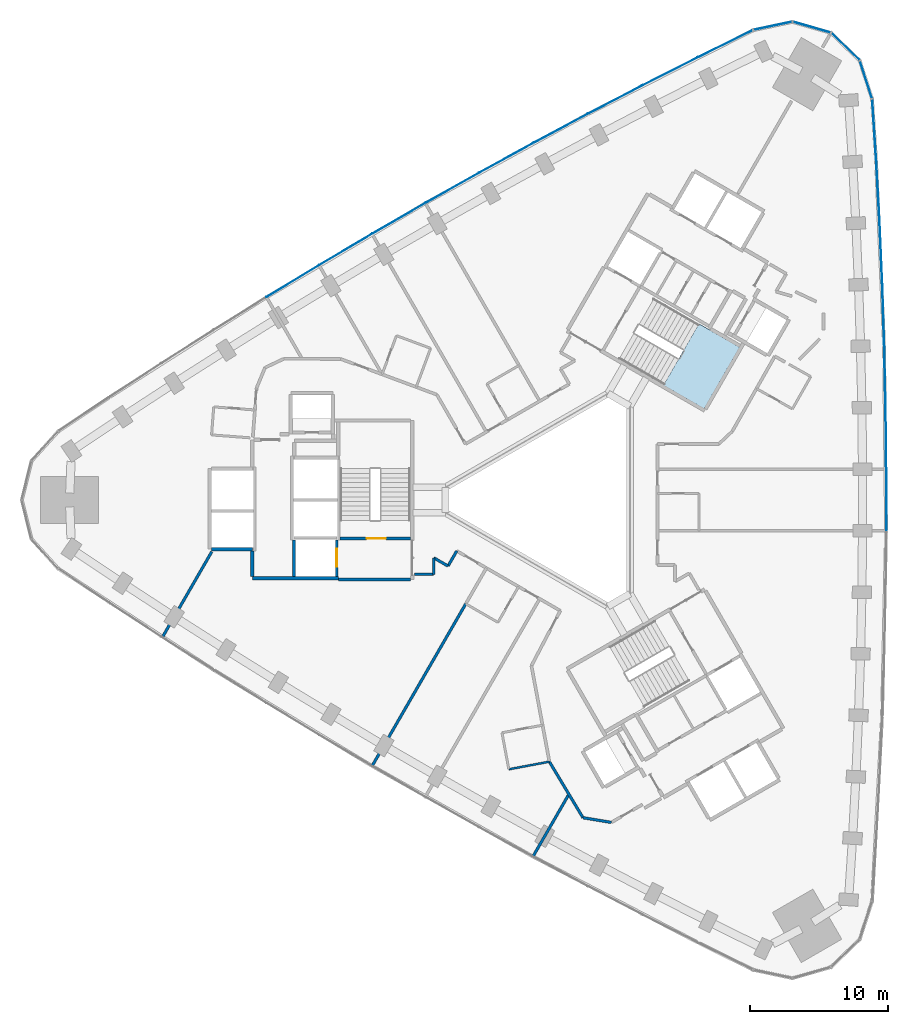
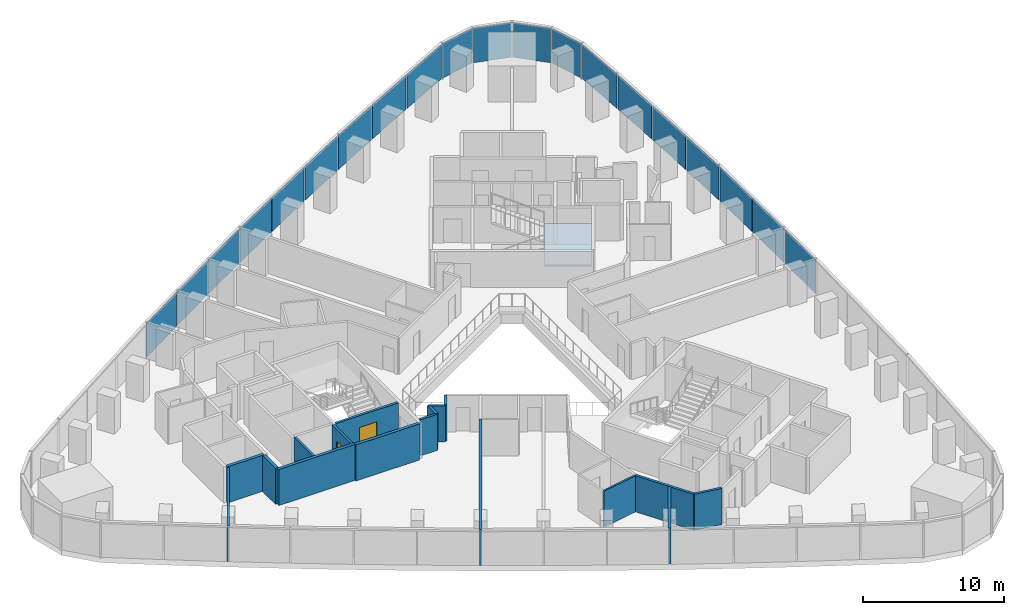
# One storey, part 7 of 13: 20 plates, 17 walls, 2 doors, 1 slab, 2 openings, 3 elements without a shape of their own.
"""IFC4 building model written with IfcOpenShell, lengths in metres."""

from ifc_helpers import new_model, si_unit, direction, frame, frame_2d, origin, origin_2d, place, context, subcontext, project, spatial, polyline, rectangle, outline, extrude, material, layer, layer_set, type_object, element, fill, aggregate, save


model = new_model("IFC4")

# Units and contexts
model_context = context("Model", 3, precision=1e-05, world=origin(), true_north=direction((0.0, 1.0)))
body_context = subcontext(model_context, "Body", "Model", "MODEL_VIEW")
ifc_project = project(units=[si_unit("LENGTHUNIT", "METRE"), si_unit("AREAUNIT", "SQUARE_METRE"), si_unit("VOLUMEUNIT", "CUBIC_METRE"), si_unit("PLANEANGLEUNIT", "RADIAN"), si_unit("MASSUNIT", "GRAM", prefix="KILO")], contexts=[model_context])

# Site, building, storey
site_placement = place(None, origin())
site = spatial("IfcSite", under=ifc_project, at=site_placement, CompositionType="ELEMENT")
building_placement = place(site_placement, origin())
building = spatial("IfcBuilding", under=site, at=building_placement, Name="Tamra Quay Hotel Tower", CompositionType="ELEMENT")
storey_placement = place(building_placement, frame((0.0, 0.0, 38.60009765625)))
storey = spatial("IfcBuildingStorey", under=building, at=storey_placement, Name="L07", CompositionType="ELEMENT", Elevation=38.60009765625)

# Stair, slab
ifc_material_1 = material(Name="Exit stair 2200 24 risers 150.0 going 342")
stair_type = type_object("IfcStairType", Name="Exit stair 2200 24 risers 150.0 going 342", PredefinedType="HALF_TURN_STAIR", material=ifc_material_1)
stair_placement = place(storey_placement, origin())
stair = element("IfcStair", 1, at=stair_placement, inside=storey, type_object=stair_type, Name="L07 Exit stair ST1", PredefinedType="HALF_TURN_STAIR")
ifc_material_2 = material(Name="Concrete M70", Category="concrete")
ifc_layer_1 = layer(ifc_material_2, 0.175048828125)
ifc_layer_set_1 = layer_set([ifc_layer_1], Name="Concrete M70 stair landing 180")
slab_type = type_object("IfcSlabType", Name="Concrete M70 stair landing 180", PredefinedType="LANDING", material=ifc_layer_set_1)
slab_placement = place(storey_placement, frame((0.0, 0.0, 1.625)))
slab = element("IfcSlab", 2, at=slab_placement, type_object=slab_type, Name="ST1 landing 1", PredefinedType="LANDING", context=body_context, shape_type="SweptSolid", body=[
    extrude(outline(polyline([(7.425048828125, 8.336669921875), (10.385009765625, 6.627685546875), (12.964599609375, 11.095458984375), (10.00439453125, 12.804443359375), (7.425048828125, 8.336669921875)])), origin(), (0.0, 0.0, 1.0), 0.1748046875),
])
aggregate(stair, [slab])

# Curtain wall, plates
ifc_material_3 = material(Name="Aluminium 6063 anodised dark grey", Category="aluminium")
curtain_wall_type_1 = type_object("IfcCurtainWallType", Name="CW1 CURTAIN WALL", PredefinedType="NOTDEFINED", material=ifc_material_3)
curtain_wall_1_placement = place(storey_placement, origin())
curtain_wall_1 = element("IfcCurtainWall", 3, at=curtain_wall_1_placement, inside=storey, type_object=curtain_wall_type_1, Name="CW1 east face L07", PredefinedType="NOTDEFINED")
ifc_material_4 = material(Name="Glass clear laminated low-iron", Category="glass")
ifc_layer_2 = layer(ifc_material_4, 0.035888671875)
ifc_layer_set_2 = layer_set([ifc_layer_2], Name="GLASS PANEL CW1 Z1")
plate_type_1 = type_object("IfcPlateType", Name="GLASS PANEL CW1 Z1", PredefinedType="CURTAIN_PANEL", material=ifc_layer_set_2)
plate_1_placement = place(storey_placement, frame((23.618408203125, 0.0, 0.0), z_axis=(0.0, 0.0, 1.0), x_axis=(0.0, 1.0, 0.0)))
plate_1 = element("IfcPlate", 4, at=plate_1_placement, type_object=plate_type_1, Name="CW1 glass L07.E.7", PredefinedType="CURTAIN_PANEL", context=body_context, shape_type="SweptSolid", body=[
    extrude(rectangle(XDim=4.388671875, YDim=0.035888671875, at=origin_2d()), origin(), (0.0, 0.0, 1.0), 2.985107421875),
])
plate_2_placement = place(storey_placement, frame((23.593994140625, 4.488525390625, 0.0), z_axis=(0.0, 0.0, 1.0), x_axis=(-0.010836354168, 0.99994128499, 0.0)))
plate_2 = element("IfcPlate", 5, at=plate_2_placement, type_object=plate_type_1, Name="CW1 glass L07.E.8", PredefinedType="CURTAIN_PANEL", context=body_context, shape_type="SweptSolid", body=[
    extrude(rectangle(XDim=4.388671875, YDim=0.035888671875, at=origin_2d()), origin(), (0.0, 0.0, 1.0), 2.985107421875),
])
plate_3_placement = place(storey_placement, frame((23.52099609375, 8.97705078125, 0.0), z_axis=(0.0, 0.0, 1.0), x_axis=(-0.021657653853, 0.999765445507, 0.0)))
plate_3 = element("IfcPlate", 6, at=plate_3_placement, type_object=plate_type_1, Name="CW1 glass L07.E.9", PredefinedType="CURTAIN_PANEL", context=body_context, shape_type="SweptSolid", body=[
    extrude(rectangle(XDim=4.3896484375, YDim=0.035888671875, at=origin_2d()), origin(), (0.0, 0.0, 1.0), 2.985107421875),
])
plate_4_placement = place(storey_placement, frame((23.399658203125, 13.464599609375, 0.0), z_axis=(0.0, 0.0, 1.0), x_axis=(-0.032474671117, 0.999472558771, 0.0)))
plate_4 = element("IfcPlate", 7, at=plate_4_placement, type_object=plate_type_1, Name="CW1 glass L07.E.10", PredefinedType="CURTAIN_PANEL", context=body_context, shape_type="SweptSolid", body=[
    extrude(rectangle(XDim=4.388671875, YDim=0.035888671875, at=origin_2d()), origin(), (0.0, 0.0, 1.0), 2.985107421875),
])
plate_5_placement = place(storey_placement, frame((23.2294921875, 17.949951171875, 0.0), z_axis=(0.0, 0.0, 1.0), x_axis=(-0.04328585604, 0.999062728094, 0.0)))
plate_5 = element("IfcPlate", 8, at=plate_5_placement, type_object=plate_type_1, Name="CW1 glass L07.E.11", PredefinedType="CURTAIN_PANEL", context=body_context, shape_type="SweptSolid", body=[
    extrude(rectangle(XDim=4.388671875, YDim=0.035888671875, at=origin_2d()), origin(), (0.0, 0.0, 1.0), 2.985107421875),
])
plate_6_placement = place(storey_placement, frame((23.010986328125, 22.433837890625, 0.0), z_axis=(0.0, 0.0, 1.0), x_axis=(-0.054062166947, 0.998537571704, 0.0)))
plate_6 = element("IfcPlate", 9, at=plate_6_placement, type_object=plate_type_1, Name="CW1 glass L07.E.12", PredefinedType="CURTAIN_PANEL", context=body_context, shape_type="SweptSolid", body=[
    extrude(rectangle(XDim=4.3896484375, YDim=0.035888671875, at=origin_2d()), origin(), (0.0, 0.0, 1.0), 2.985107421875),
])
plate_7_placement = place(storey_placement, frame((22.744140625, 26.914794921875, 0.0), z_axis=(0.0, 0.0, 1.0), x_axis=(-0.064813190551, 0.997897414733, 0.0)))
plate_7 = element("IfcPlate", 10, at=plate_7_placement, type_object=plate_type_1, Name="CW1 glass L07.E.13", PredefinedType="CURTAIN_PANEL", context=body_context, shape_type="SweptSolid", body=[
    extrude(rectangle(XDim=4.38818359375, YDim=0.035888671875, at=origin_2d()), origin(), (0.0, 0.0, 1.0), 2.985107421875),
])
plate_8_placement = place(storey_placement, frame((22.1484375, 30.5400390625, 0.0), z_axis=(0.0, 0.0, 1.0), x_axis=(-0.309040551826, 0.951048861693, 0.0)))
plate_8 = element("IfcPlate", 11, at=plate_8_placement, type_object=plate_type_1, Name="CW1 glass L07.E.14", PredefinedType="CURTAIN_PANEL", context=body_context, shape_type="SweptSolid", body=[
    extrude(rectangle(XDim=2.814697265625, YDim=0.035888671875, at=origin_2d()), origin(), (0.0, 0.0, 1.0), 2.985107421875),
])
plate_9_placement = place(storey_placement, frame((20.649658203125, 32.9384765625, 0.0), z_axis=(0.0, 0.0, 1.0), x_axis=(-0.719345535851, 0.694652431113, 0.0)))
plate_9 = element("IfcPlate", 12, at=plate_9_placement, type_object=plate_type_1, Name="CW1 glass L07.E.15", PredefinedType="CURTAIN_PANEL", context=body_context, shape_type="SweptSolid", body=[
    extrude(rectangle(XDim=2.814697265625, YDim=0.035888671875, at=origin_2d()), origin(), (0.0, 0.0, 1.0), 2.985107421875),
])
plate_10_placement = place(storey_placement, frame((18.20068359375, 34.352294921875, 0.0), z_axis=(0.0, 0.0, 1.0), x_axis=(-0.96125942007, 0.275645292589, 0.0)))
plate_10 = element("IfcPlate", 13, at=plate_10_placement, type_object=plate_type_1, Name="CW1 glass L07.E.16", PredefinedType="CURTAIN_PANEL", context=body_context, shape_type="SweptSolid", body=[
    extrude(rectangle(XDim=2.814697265625, YDim=0.035888671875, at=origin_2d()), origin(), (0.0, 0.0, 1.0), 2.985107421875),
])
plate_11_placement = place(storey_placement, frame((15.374267578125, 34.451171875, 0.0), z_axis=(0.0, 0.0, 1.0), x_axis=(-0.978152750379, -0.207887462165, 0.0)))
plate_11 = element("IfcPlate", 14, at=plate_11_placement, type_object=plate_type_1, Name="CW1 glass L07.E.17", PredefinedType="CURTAIN_PANEL", context=body_context, shape_type="SweptSolid", body=[
    extrude(rectangle(XDim=2.814697265625, YDim=0.035888671875, at=origin_2d()), origin(), (0.0, 0.0, 1.0), 2.985107421875),
])
aggregate(curtain_wall_1, [plate_1, plate_2, plate_3, plate_4, plate_5, plate_6, plate_7, plate_8, plate_9, plate_10, plate_11])

curtain_wall_type_2 = type_object("IfcCurtainWallType", Name="CW2 CURTAIN WALL", PredefinedType="NOTDEFINED", material=ifc_material_3)
curtain_wall_2_placement = place(storey_placement, origin())
curtain_wall_2 = element("IfcCurtainWall", 15, at=curtain_wall_2_placement, inside=storey, type_object=curtain_wall_type_2, Name="CW2 north-west face L07", PredefinedType="NOTDEFINED")
ifc_layer_3 = layer(ifc_material_4, 0.035888671875)
ifc_layer_set_3 = layer_set([ifc_layer_3], Name="GLASS PANEL CW2 Z1")
plate_type_2 = type_object("IfcPlateType", Name="GLASS PANEL CW2 Z1", PredefinedType="CURTAIN_PANEL", material=ifc_layer_set_3)
plate_12_placement = place(storey_placement, frame((11.936767578125, 33.154541015625, 0.0), z_axis=(0.0, 0.0, 1.0), x_axis=(-0.896611106805, -0.442818837849, 0.0)))
plate_12 = element("IfcPlate", 16, at=plate_12_placement, type_object=plate_type_2, Name="CW2 glass L07.NW.1", PredefinedType="CURTAIN_PANEL", context=body_context, shape_type="SweptSolid", body=[
    extrude(rectangle(XDim=4.38818359375, YDim=0.035888671875, at=origin_2d()), origin(), (0.0, 0.0, 1.0), 2.985107421875),
])
plate_13_placement = place(storey_placement, frame((7.9228515625, 31.14501953125, 0.0), z_axis=(0.0, 0.0, 1.0), x_axis=(-0.891789987202, -0.452449575893, 0.0)))
plate_13 = element("IfcPlate", 17, at=plate_13_placement, type_object=plate_type_2, Name="CW2 glass L07.NW.2", PredefinedType="CURTAIN_PANEL", context=body_context, shape_type="SweptSolid", body=[
    extrude(rectangle(XDim=4.3896484375, YDim=0.035888671875, at=origin_2d()), origin(), (0.0, 0.0, 1.0), 2.985107421875),
])
plate_14_placement = place(storey_placement, frame((3.930419921875, 29.09228515625, 0.0), z_axis=(0.0, 0.0, 1.0), x_axis=(-0.886856630524, -0.462044713092, 0.0)))
plate_14 = element("IfcPlate", 18, at=plate_14_placement, type_object=plate_type_2, Name="CW2 glass L07.NW.3", PredefinedType="CURTAIN_PANEL", context=body_context, shape_type="SweptSolid", body=[
    extrude(rectangle(XDim=4.388671875, YDim=0.035888671875, at=origin_2d()), origin(), (0.0, 0.0, 1.0), 2.985107421875),
])
plate_15_placement = place(storey_placement, frame((-0.0390625, 26.996826171875, 0.0), z_axis=(0.0, 0.0, 1.0), x_axis=(-0.88180596184, -0.471612389218, 0.0)))
plate_15 = element("IfcPlate", 19, at=plate_15_placement, type_object=plate_type_2, Name="CW2 glass L07.NW.4", PredefinedType="CURTAIN_PANEL", context=body_context, shape_type="SweptSolid", body=[
    extrude(rectangle(XDim=4.388671875, YDim=0.035888671875, at=origin_2d()), origin(), (0.0, 0.0, 1.0), 2.985107421875),
])
plate_16_placement = place(storey_placement, frame((-3.986083984375, 24.8583984375, 0.0), z_axis=(0.0, 0.0, 1.0), x_axis=(-0.876651100562, -0.48112664433, 0.0)))
plate_16 = element("IfcPlate", 20, at=plate_16_placement, type_object=plate_type_2, Name="CW2 glass L07.NW.5", PredefinedType="CURTAIN_PANEL", context=body_context, shape_type="SweptSolid", body=[
    extrude(rectangle(XDim=4.3896484375, YDim=0.035888671875, at=origin_2d()), origin(), (0.0, 0.0, 1.0), 2.985107421875),
])
plate_17_placement = place(storey_placement, frame((-7.90966796875, 22.67724609375, 0.0), z_axis=(0.0, 0.0, 1.0), x_axis=(-0.871392732178, -0.490586084502, 0.0)))
plate_17 = element("IfcPlate", 21, at=plate_17_placement, type_object=plate_type_2, Name="CW2 glass L07.NW.6", PredefinedType="CURTAIN_PANEL", context=body_context, shape_type="SweptSolid", body=[
    extrude(rectangle(XDim=4.388671875, YDim=0.035888671875, at=origin_2d()), origin(), (0.0, 0.0, 1.0), 2.985107421875),
])
plate_18_placement = place(storey_placement, frame((-11.80908203125, 20.4541015625, 0.0), z_axis=(0.0, 0.0, 1.0), x_axis=(-0.866025403784, -0.5, 0.0)))
plate_18 = element("IfcPlate", 22, at=plate_18_placement, type_object=plate_type_2, Name="CW2 glass L07.NW.7", PredefinedType="CURTAIN_PANEL", context=body_context, shape_type="SweptSolid", body=[
    extrude(rectangle(XDim=4.388671875, YDim=0.035888671875, at=origin_2d()), origin(), (0.0, 0.0, 1.0), 2.985107421875),
])
plate_19_placement = place(storey_placement, frame((-15.684326171875, 18.188720703125, 0.0), z_axis=(0.0, 0.0, 1.0), x_axis=(-0.860556378011, -0.509355200489, 0.0)))
plate_19 = element("IfcPlate", 23, at=plate_19_placement, type_object=plate_type_2, Name="CW2 glass L07.NW.8", PredefinedType="CURTAIN_PANEL", context=body_context, shape_type="SweptSolid", body=[
    extrude(rectangle(XDim=4.388671875, YDim=0.035888671875, at=origin_2d()), origin(), (0.0, 0.0, 1.0), 2.985107421875),
])
plate_20_placement = place(storey_placement, frame((-19.534912109375, 15.88134765625, 0.0), z_axis=(0.0, 0.0, 1.0), x_axis=(-0.854993446708, -0.518638801177, 0.0)))
plate_20 = element("IfcPlate", 24, at=plate_20_placement, type_object=plate_type_2, Name="CW2 glass L07.NW.9", PredefinedType="CURTAIN_PANEL", context=body_context, shape_type="SweptSolid", body=[
    extrude(rectangle(XDim=4.3896484375, YDim=0.035888671875, at=origin_2d()), origin(), (0.0, 0.0, 1.0), 2.985107421875),
])
aggregate(curtain_wall_2, [plate_12, plate_13, plate_14, plate_15, plate_16, plate_17, plate_18, plate_19, plate_20])

# Wall, opening, door
ifc_layer_4 = layer(ifc_material_2, 0.199951171875)
ifc_layer_set_4 = layer_set([ifc_layer_4], Name="Concrete M70 core wall 200")
wall_type_1 = type_object("IfcWallType", Name="Concrete M70 core wall 200", PredefinedType="SHEAR", material=ifc_layer_set_4)
wall_1_placement = place(storey_placement, frame((-10.96337890625, -2.800048828125, 0.0), z_axis=(0.0, 0.0, 1.0), x_axis=(-1.0, 0.0, 0.0)))
wall_1 = element("IfcWall", 25, at=wall_1_placement, inside=storey, type_object=wall_type_1, Name="CW2", PredefinedType="SHEAR", context=body_context, shape_type="SweptSolid", body=[
    extrude(rectangle(XDim=5.097900390625, YDim=0.199951171875, at=frame_2d((2.548828125, 0.0))), origin(), (0.0, 0.0, 1.0), 3.125),
])
opening_1_placement = place(wall_1_placement, frame((1.77392578125, 0.0, 0.0)))
opening_1 = element("IfcOpeningElement", 26, at=opening_1_placement, cuts=wall_1, Name="Opening FD2", PredefinedType="OPENING", context=body_context, shape_type="SweptSolid", body=[
    extrude(rectangle(XDim=1.39990234375, YDim=2.10009765625, at=frame_2d((0.699951171875, 1.050048828125))), frame((0.0, 0.10986328125, 0.0), z_axis=(0.0, -1.0, 0.0), x_axis=(1.0, 0.0, 0.0)), (0.0, 0.0, 1.0), 0.219970703125),
])
ifc_material_5 = material(Name="Core door FD2 1400x2100 RH")
door_type_1 = type_object("IfcDoorType", Name="Core door FD2 1400x2100 RH", OperationType="NOTDEFINED", PredefinedType="DOOR", material=ifc_material_5)
door_1_placement = place(opening_1_placement, origin())
door_1 = element("IfcDoor", 27, at=door_1_placement, inside=storey, type_object=door_type_1, Name="FD2", OperationType="SINGLE_SWING_RIGHT", OverallHeight=2.10009765625, OverallWidth=1.39990234375, PredefinedType="DOOR", context=body_context, shape_type="SweptSolid", body=[
    extrude(rectangle(XDim=1.39990234375, YDim=2.10009765625, at=frame_2d((0.699951171875, 1.050048828125))), frame((0.0, 0.02490234375, 0.0), z_axis=(0.0, -1.0, 0.0), x_axis=(1.0, 0.0, 0.0)), (0.0, 0.0, 1.0), 0.050048828125),
])
fill(opening_1, door_1)

wall_2_placement = place(storey_placement, frame((-16.312255859375, -2.898193359375, 0.0), z_axis=(0.0, 0.0, 1.0), x_axis=(0.0, -1.0, 0.0)))
wall_2 = element("IfcWall", 28, at=wall_2_placement, inside=storey, type_object=wall_type_1, Name="CW2", PredefinedType="SHEAR", context=body_context, shape_type="SweptSolid", body=[
    extrude(rectangle(XDim=2.65087890625, YDim=0.199951171875, at=frame_2d((1.325439453125, 0.0))), origin(), (0.0, 0.0, 1.0), 3.125),
])
opening_2_placement = place(wall_2_placement, frame((0.65185546875, 0.0, 0.0)))
opening_2 = element("IfcOpeningElement", 29, at=opening_2_placement, cuts=wall_2, Name="Opening LD", PredefinedType="OPENING", context=body_context, shape_type="SweptSolid", body=[
    extrude(rectangle(XDim=1.300048828125, YDim=2.10009765625, at=frame_2d((0.64990234375, 1.050048828125))), frame((0.0, 0.10986328125, 0.0), z_axis=(0.0, -1.0, 0.0), x_axis=(1.0, 0.0, 0.0)), (0.0, 0.0, 1.0), 0.219970703125),
])
ifc_material_6 = material(Name="Landing door LD 1300 sliding to right")
door_type_2 = type_object("IfcDoorType", Name="Landing door LD 1300 sliding to right", OperationType="NOTDEFINED", PredefinedType="DOOR", material=ifc_material_6)
door_2_placement = place(opening_2_placement, origin())
door_2 = element("IfcDoor", 30, at=door_2_placement, inside=storey, type_object=door_type_2, Name="LD", OperationType="SLIDING_TO_RIGHT", OverallHeight=2.10009765625, OverallWidth=1.300048828125, PredefinedType="DOOR", context=body_context, shape_type="SweptSolid", body=[
    extrude(rectangle(XDim=1.300048828125, YDim=2.10009765625, at=frame_2d((0.64990234375, 1.050048828125))), frame((0.0, 0.02490234375, 0.0), z_axis=(0.0, -1.0, 0.0), x_axis=(1.0, 0.0, 0.0)), (0.0, 0.0, 1.0), 0.050048828125),
])
fill(opening_2, door_2)

# Walls
wall_3_placement = place(storey_placement, frame((-19.412353515625, -5.549072265625, 0.0), z_axis=(0.0, 0.0, 1.0), x_axis=(0.0, 1.0, 0.0)))
element("IfcWall", 31, at=wall_3_placement, inside=storey, type_object=wall_type_1, Name="CW2", PredefinedType="SHEAR", context=body_context, shape_type="SweptSolid", body=[
    extrude(rectangle(XDim=2.65087890625, YDim=0.199951171875, at=frame_2d((1.325439453125, 0.0))), origin(), (0.0, 0.0, 1.0), 3.125),
])
ifc_layer_5 = layer(ifc_material_2, 0.25)
ifc_layer_set_5 = layer_set([ifc_layer_5], Name="Concrete M70 core wall 250")
wall_type_2 = type_object("IfcWallType", Name="Concrete M70 core wall 250", PredefinedType="SHEAR", material=ifc_layer_set_5)
wall_4_placement = place(storey_placement, frame((-16.187255859375, -5.675048828125, 0.0), z_axis=(0.0, 0.0, 1.0), x_axis=(-1.0, 0.0, 0.0)))
element("IfcWall", 32, at=wall_4_placement, inside=storey, type_object=wall_type_2, Name="CW1", PredefinedType="SHEAR", context=body_context, shape_type="SweptSolid", body=[
    extrude(rectangle(XDim=6.25, YDim=0.25, at=frame_2d((3.125, 0.0))), origin(), (0.0, 0.0, 1.0), 3.125),
])
wall_5_placement = place(storey_placement, frame((-10.962646484375, -5.77490234375, 0.0), z_axis=(0.0, 0.0, 1.0), x_axis=(-1.0, 0.0, 0.0)))
element("IfcWall", 33, at=wall_5_placement, inside=storey, type_object=wall_type_2, Name="CW1", PredefinedType="SHEAR", context=body_context, shape_type="SweptSolid", body=[
    extrude(rectangle(XDim=5.224609375, YDim=0.25, at=frame_2d((2.6123046875, 0.0))), origin(), (0.0, 0.0, 1.0), 3.125),
])
wall_6_placement = place(storey_placement, frame((-22.437255859375, -3.574951171875, 0.0), z_axis=(0.0, 0.0, 1.0), x_axis=(-1.0, 0.0, 0.0)))
element("IfcWall", 34, at=wall_6_placement, inside=storey, type_object=wall_type_2, Name="CW1", PredefinedType="SHEAR", context=body_context, shape_type="SweptSolid", body=[
    extrude(rectangle(XDim=2.974609375, YDim=0.25, at=frame_2d((1.4873046875, 0.0))), origin(), (0.0, 0.0, 1.0), 3.125),
])
wall_7_placement = place(storey_placement, frame((-22.437255859375, -5.549560546875, 0.0), z_axis=(0.0, 0.0, 1.0), x_axis=(0.0, 1.0, 0.0)))
element("IfcWall", 35, at=wall_7_placement, inside=storey, type_object=wall_type_2, Name="CW1", PredefinedType="SHEAR", context=body_context, shape_type="SweptSolid", body=[
    extrude(rectangle(XDim=1.84912109375, YDim=0.25, at=frame_2d((0.924560546875, 0.0))), origin(), (0.0, 0.0, 1.0), 3.125),
])
ifc_material_7 = material(Name="Partition corridor wall")
ifc_layer_6 = layer(ifc_material_7, 0.199951171875)
ifc_layer_set_6 = layer_set([ifc_layer_6], Name="Partition corridor wall")
wall_type_3 = type_object("IfcWallType", Name="Partition corridor wall", PredefinedType="PARTITIONING", material=ifc_layer_set_6)
wall_8_placement = place(storey_placement, frame((-10.65234375, -5.39990234375, 0.0), z_axis=(0.0, 0.0, 1.0), x_axis=(1.0, 0.0, 0.0)))
element("IfcWall", 36, at=wall_8_placement, inside=storey, type_object=wall_type_3, Name="W-C", PredefinedType="PARTITIONING", context=body_context, shape_type="SweptSolid", body=[
    extrude(rectangle(XDim=1.390380859375, YDim=0.199951171875, at=frame_2d((0.6953125, 0.0))), origin(), (0.0, 0.0, 1.0), 3.125),
])
for number, where, z_axis, x_axis, name in (
    (37, (-9.261962890625, -5.39990234375, 0.0), (0.0, 0.0, 1.0), (0.0, 1.0, 0.0), "W-C"),
    (38, (-9.261962890625, -4.199951171875, 0.0), (0.0, 0.0, 1.0), (0.865955154139, -0.50012165622, 0.0), "W-C"),
):
    element("IfcWall", number, at=place(storey_placement, frame(where, z_axis=z_axis, x_axis=x_axis)), inside=storey, type_object=wall_type_3, Name=name, PredefinedType="PARTITIONING", context=body_context, shape_type="SweptSolid", body=[
        extrude(rectangle(XDim=1.199951171875, YDim=0.199951171875, at=frame_2d((0.60009765625, 0.0))), origin(), (0.0, 0.0, 1.0), 3.125),
    ])
wall_9_placement = place(storey_placement, frame((-8.222900390625, -4.800048828125, 0.0), z_axis=(0.0, 0.0, 1.0), x_axis=(0.499866914522, 0.866102227088, 0.0)))
element("IfcWall", 39, at=wall_9_placement, inside=storey, type_object=wall_type_3, Name="W-C", PredefinedType="PARTITIONING", context=body_context, shape_type="SweptSolid", body=[
    extrude(rectangle(XDim=1.267822265625, YDim=0.199951171875, at=frame_2d((0.6337890625, 0.0))), origin(), (0.0, 0.0, 1.0), 3.125),
])
wall_10_placement = place(storey_placement, frame((-0.85791015625, -19.01708984375, 0.0), z_axis=(0.0, 0.0, 1.0), x_axis=(0.514647068805, -0.857402119528, 0.0)))
element("IfcWall", 40, at=wall_10_placement, inside=storey, type_object=wall_type_3, Name="W-C", PredefinedType="PARTITIONING", context=body_context, shape_type="SweptSolid", body=[
    extrude(rectangle(XDim=4.745361328125, YDim=0.199951171875, at=frame_2d((2.37255859375, 0.0))), origin(), (0.0, 0.0, 1.0), 3.125),
])
wall_11_placement = place(storey_placement, frame((1.583984375, -23.0859375, 0.0), z_axis=(0.0, 0.0, 1.0), x_axis=(0.986633159246, -0.162957077405, 0.0)))
element("IfcWall", 41, at=wall_11_placement, inside=storey, type_object=wall_type_3, Name="W-C", PredefinedType="PARTITIONING", context=body_context, shape_type="SweptSolid", body=[
    extrude(rectangle(XDim=2.0869140625, YDim=0.199951171875, at=frame_2d((1.04345703125, 0.0))), origin(), (0.0, 0.0, 1.0), 3.125),
])
ifc_material_8 = material(Name="Partition en-suite wall")
ifc_layer_7 = layer(ifc_material_8, 0.14990234375)
ifc_layer_set_7 = layer_set([ifc_layer_7], Name="Partition en-suite wall")
wall_type_4 = type_object("IfcWallType", Name="Partition en-suite wall", PredefinedType="PARTITIONING", material=ifc_layer_set_7)
wall_12_placement = place(storey_placement, frame((-3.806884765625, -19.56591796875, 0.0), z_axis=(0.0, 0.0, 1.0), x_axis=(0.982987155193, 0.183674311555, 0.0)))
element("IfcWall", 42, at=wall_12_placement, inside=storey, type_object=wall_type_4, Name="W-E", PredefinedType="PARTITIONING", context=body_context, shape_type="SweptSolid", body=[
    extrude(rectangle(XDim=3.0, YDim=0.14990234375, at=frame_2d((1.5, 0.0))), origin(), (0.0, 0.0, 1.0), 3.125),
])
ifc_material_9 = material(Name="Partition party wall")
ifc_layer_8 = layer(ifc_material_9, 0.199951171875)
ifc_layer_set_8 = layer_set([ifc_layer_8], Name="Partition party wall")
wall_type_5 = type_object("IfcWallType", Name="Partition party wall", PredefinedType="PARTITIONING", material=ifc_layer_set_8)
wall_13_placement = place(storey_placement, frame((-28.98046875, -9.9775390625, 0.0), z_axis=(0.0, 0.0, 1.0), x_axis=(0.500015830155, 0.866016264047, 0.0)))
element("IfcWall", 43, at=wall_13_placement, inside=storey, type_object=wall_type_5, Name="W-P", PredefinedType="PARTITIONING", context=body_context, shape_type="SweptSolid", body=[
    extrude(rectangle(XDim=7.179443359375, YDim=0.199951171875, at=frame_2d((3.58984375, 0.0))), origin(), (0.0, 0.0, 1.0), 3.125),
])
wall_14_placement = place(storey_placement, frame((-13.7421875, -19.332275390625, 0.0), z_axis=(0.0, 0.0, 1.0), x_axis=(0.499995450659, 0.866028030332, 0.0)))
element("IfcWall", 44, at=wall_14_placement, inside=storey, type_object=wall_type_5, Name="W-P", PredefinedType="PARTITIONING", context=body_context, shape_type="SweptSolid", body=[
    extrude(rectangle(XDim=13.624755859375, YDim=0.199951171875, at=frame_2d((6.8125, 0.0))), origin(), (0.0, 0.0, 1.0), 3.125),
])
wall_15_placement = place(storey_placement, frame((-2.056396484375, -25.911865234375, 0.0), z_axis=(0.0, 0.0, 1.0), x_axis=(0.499906852383, 0.866079175907, 0.0)))
element("IfcWall", 45, at=wall_15_placement, inside=storey, type_object=wall_type_5, Name="W-P", PredefinedType="PARTITIONING", context=body_context, shape_type="SweptSolid", body=[
    extrude(rectangle(XDim=5.23388671875, YDim=0.199951171875, at=frame_2d((2.616943359375, 0.0))), origin(), (0.0, 0.0, 1.0), 3.125),
])

save(model, "model.ifc")
